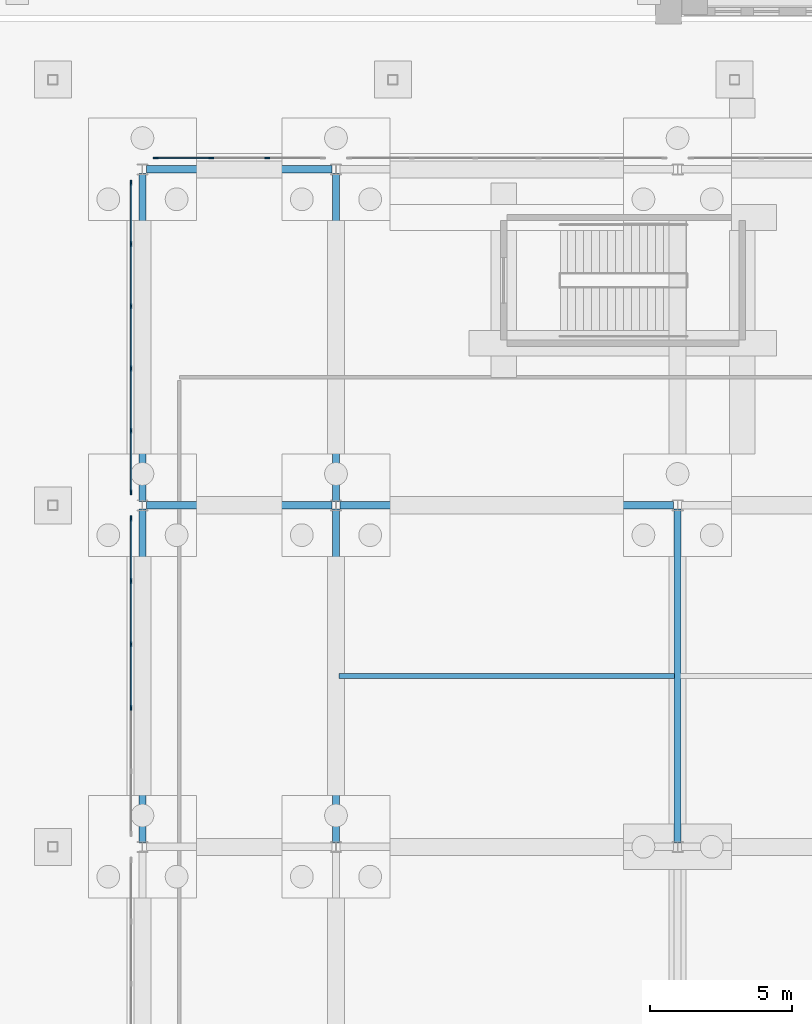
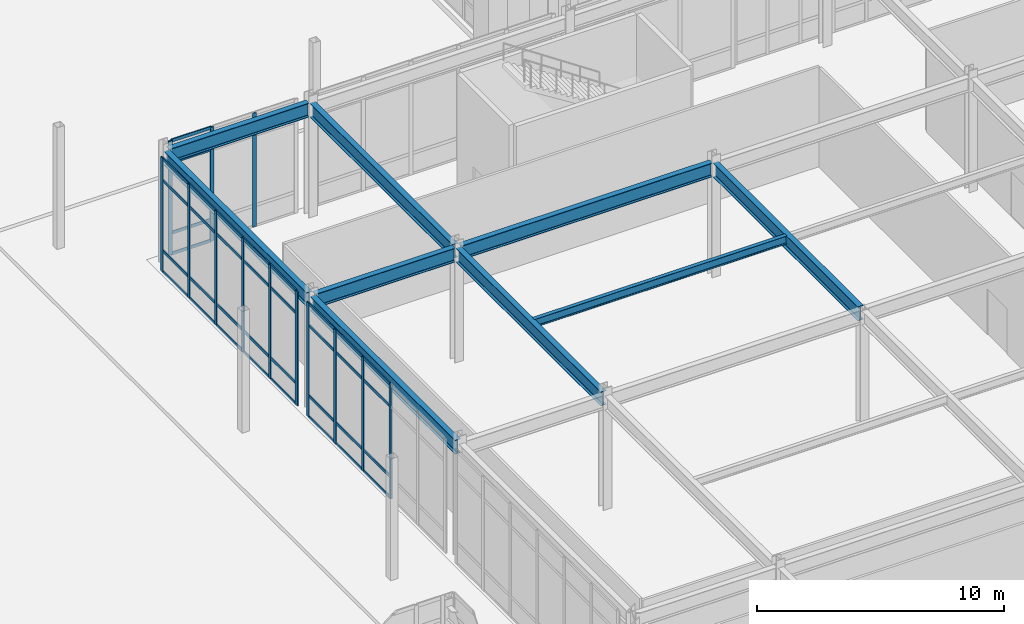
# One storey, part 67 of 143: 49 members, 9 beams, 3 elements without a shape of their own.
"""IFC4 building model written with IfcOpenShell, lengths in metres."""

from ifc_helpers import new_model, si_unit, derived_unit, direction, frame, origin, origin_2d, place, context, subcontext, project, spatial, rectangle, i_section, extrude, material, layer, layer_set, material_profile, profile_set, type_object, element, aggregate, save


model = new_model("IFC4")

# Units and contexts
model_context = context("Model", 3, precision=1e-05, world=origin(), true_north=direction((0.0, 1.0)))
body_context = subcontext(model_context, "Body", "Model", "MODEL_VIEW")
ifc_project = project(units=[si_unit("LENGTHUNIT", "METRE"), si_unit("AREAUNIT", "SQUARE_METRE"), si_unit("VOLUMEUNIT", "CUBIC_METRE"), si_unit("PLANEANGLEUNIT", "RADIAN"), si_unit("MASSUNIT", "GRAM", prefix="KILO"), derived_unit("THERMALTRANSMITTANCEUNIT", [(si_unit("MASSUNIT", "GRAM", prefix="KILO"), 1), (si_unit("TIMEUNIT", "SECOND"), -3), (si_unit("THERMODYNAMICTEMPERATUREUNIT", "KELVIN"), -1)])], contexts=[model_context])

# Site, building, storey
site_placement = place(None, origin())
site = spatial("IfcSite", under=ifc_project, at=site_placement, CompositionType="ELEMENT")
building_placement = place(site_placement, origin())
building = spatial("IfcBuilding", under=site, at=building_placement, Name="Valcora Ridge Arena", CompositionType="ELEMENT")
storey_placement = place(building_placement, origin())
storey = spatial("IfcBuildingStorey", under=building, at=storey_placement, Name="L00", CompositionType="ELEMENT", Elevation=0.0)

# Beams
ifc_material_1 = material(Name="Steel ASTM A572 Grade 50", Category="steel")
ifc_material_profile_1 = material_profile(ifc_material_1, i_section(OverallWidth=0.256103515625, OverallDepth=0.693115234375, WebThickness=0.014404296875, FlangeThickness=0.023681640625, FilletRadius=0.02001953125, at=origin_2d()), Name="W27X114")
ifc_profile_set_1 = profile_set([ifc_material_profile_1], Name="Steel ASTM A572 Grade 50")
beam_type_1 = type_object("IfcBeamType", Name="TY-BEAM-G-W27X114-X", PredefinedType="BEAM", material=ifc_profile_set_1)
beam_1_placement = place(storey_placement, frame((137.340087890625, 66.0, 5.2734375), z_axis=(1.0, 0.0, 0.0), x_axis=(0.0, 1.0, 0.0)))
element("IfcBeam", 1, at=beam_1_placement, inside=storey, type_object=beam_type_1, Name="G-W27X114-X BEM-G-W27X114-X-0019", PredefinedType="BEAM", context=body_context, shape_type="SweptSolid", body=[
    extrude(i_section(OverallWidth=0.256103515625, OverallDepth=0.693115234375, WebThickness=0.014404296875, FlangeThickness=0.023681640625, FilletRadius=0.02001953125, at=origin_2d()), origin(), (0.0, 0.0, 1.0), 6.52001953125),
])
beam_2_placement = place(storey_placement, frame((144.139892578125, 66.0, 5.2734375), z_axis=(1.0, 0.0, 0.0), x_axis=(0.0, 1.0, 0.0)))
element("IfcBeam", 2, at=beam_2_placement, inside=storey, type_object=beam_type_1, Name="G-W27X114-X BEM-G-W27X114-X-0020", PredefinedType="BEAM", context=body_context, shape_type="SweptSolid", body=[
    extrude(i_section(OverallWidth=0.256103515625, OverallDepth=0.693115234375, WebThickness=0.014404296875, FlangeThickness=0.023681640625, FilletRadius=0.02001953125, at=origin_2d()), origin(), (0.0, 0.0, 1.0), 11.72021484375),
])
ifc_material_profile_2 = material_profile(ifc_material_1, i_section(OverallWidth=0.256103515625, OverallDepth=0.693115234375, WebThickness=0.014404296875, FlangeThickness=0.023681640625, FilletRadius=0.02001953125, at=origin_2d()), Name="W27X114")
ifc_profile_set_2 = profile_set([ifc_material_profile_2], Name="Steel ASTM A572 Grade 50")
beam_type_2 = type_object("IfcBeamType", Name="TY-BEAM-G-W27X114-Y", PredefinedType="BEAM", material=ifc_profile_set_2)
beam_3_placement = place(storey_placement, frame((137.199951171875, 54.139892578125, 5.2734375), z_axis=(0.0, 1.0, 0.0), x_axis=(-1.0, 0.0, 0.0)))
element("IfcBeam", 3, at=beam_3_placement, inside=storey, type_object=beam_type_2, Name="G-W27X114-Y BEM-G-W27X114-Y-0005", PredefinedType="BEAM", context=body_context, shape_type="SweptSolid", body=[
    extrude(i_section(OverallWidth=0.256103515625, OverallDepth=0.693115234375, WebThickness=0.014404296875, FlangeThickness=0.023681640625, FilletRadius=0.02001953125, at=origin_2d()), origin(), (0.0, 0.0, 1.0), 11.72021484375),
])
beam_4_placement = place(storey_placement, frame((137.199951171875, 66.139892578125, 5.2734375), z_axis=(0.0, 1.0, 0.0), x_axis=(-1.0, 0.0, 0.0)))
element("IfcBeam", 4, at=beam_4_placement, inside=storey, type_object=beam_type_2, Name="G-W27X114-Y BEM-G-W27X114-Y-0006", PredefinedType="BEAM", context=body_context, shape_type="SweptSolid", body=[
    extrude(i_section(OverallWidth=0.256103515625, OverallDepth=0.693115234375, WebThickness=0.014404296875, FlangeThickness=0.023681640625, FilletRadius=0.02001953125, at=origin_2d()), origin(), (0.0, 0.0, 1.0), 11.52001953125),
])
beam_5_placement = place(storey_placement, frame((144.0, 54.139892578125, 5.2734375), z_axis=(0.0, 1.0, 0.0), x_axis=(-1.0, 0.0, 0.0)))
element("IfcBeam", 5, at=beam_5_placement, inside=storey, type_object=beam_type_2, Name="G-W27X114-Y BEM-G-W27X114-Y-0011", PredefinedType="BEAM", context=body_context, shape_type="SweptSolid", body=[
    extrude(i_section(OverallWidth=0.256103515625, OverallDepth=0.693115234375, WebThickness=0.014404296875, FlangeThickness=0.023681640625, FilletRadius=0.02001953125, at=origin_2d()), origin(), (0.0, 0.0, 1.0), 11.72021484375),
])
beam_6_placement = place(storey_placement, frame((144.0, 66.139892578125, 5.2734375), z_axis=(0.0, 1.0, 0.0), x_axis=(-1.0, 0.0, 0.0)))
element("IfcBeam", 6, at=beam_6_placement, inside=storey, type_object=beam_type_2, Name="G-W27X114-Y BEM-G-W27X114-Y-0012", PredefinedType="BEAM", context=body_context, shape_type="SweptSolid", body=[
    extrude(i_section(OverallWidth=0.256103515625, OverallDepth=0.693115234375, WebThickness=0.014404296875, FlangeThickness=0.023681640625, FilletRadius=0.02001953125, at=origin_2d()), origin(), (0.0, 0.0, 1.0), 11.52001953125),
])
beam_7_placement = place(storey_placement, frame((156.0, 54.139892578125, 5.2734375), z_axis=(0.0, 1.0, 0.0), x_axis=(-1.0, 0.0, 0.0)))
element("IfcBeam", 7, at=beam_7_placement, inside=storey, type_object=beam_type_2, Name="G-W27X114-Y BEM-G-W27X114-Y-0017", PredefinedType="BEAM", context=body_context, shape_type="SweptSolid", body=[
    extrude(i_section(OverallWidth=0.256103515625, OverallDepth=0.693115234375, WebThickness=0.014404296875, FlangeThickness=0.023681640625, FilletRadius=0.02001953125, at=origin_2d()), origin(), (0.0, 0.0, 1.0), 11.72021484375),
])
ifc_material_profile_3 = material_profile(ifc_material_1, i_section(OverallWidth=0.177978515625, OverallDepth=0.406005859375, WebThickness=0.0078125, FlangeThickness=0.0126953125, FilletRadius=0.013916015625, at=origin_2d()), Name="W16X40")
ifc_profile_set_3 = profile_set([ifc_material_profile_3], Name="Steel ASTM A572 Grade 50")
beam_type_3 = type_object("IfcBeamType", Name="TY-BEAM-J-W16X40", PredefinedType="JOIST", material=ifc_profile_set_3)
beam_8_placement = place(storey_placement, frame((144.10009765625, 60.0, 5.4169921875), z_axis=(1.0, 0.0, 0.0), x_axis=(0.0, 1.0, 0.0)))
element("IfcBeam", 8, at=beam_8_placement, inside=storey, type_object=beam_type_3, Name="J-W16X40 BEM-J-W16X40-0005", PredefinedType="JOIST", context=body_context, shape_type="SweptSolid", body=[
    extrude(i_section(OverallWidth=0.177978515625, OverallDepth=0.406005859375, WebThickness=0.0078125, FlangeThickness=0.0126953125, FilletRadius=0.013916015625, at=origin_2d()), origin(), (0.0, 0.0, 1.0), 11.7998046875),
])
ifc_material_profile_4 = material_profile(ifc_material_1, i_section(OverallWidth=0.256103515625, OverallDepth=0.693115234375, WebThickness=0.014404296875, FlangeThickness=0.023681640625, FilletRadius=0.02001953125, at=origin_2d()), Name="W27X114")
ifc_profile_set_4 = profile_set([ifc_material_profile_4], Name="Steel ASTM A572 Grade 50")
beam_type_4 = type_object("IfcBeamType", Name="TY-BEAM-SP-W27X114", PredefinedType="SPANDREL", material=ifc_profile_set_4)
beam_9_placement = place(storey_placement, frame((137.340087890625, 77.800048828125, 5.2734375), z_axis=(1.0, 0.0, 0.0), x_axis=(0.0, 1.0, 0.0)))
element("IfcBeam", 9, at=beam_9_placement, inside=storey, type_object=beam_type_4, Name="SP-W27X114 BEM-SP-W27X114-0006", PredefinedType="SPANDREL", context=body_context, shape_type="SweptSolid", body=[
    extrude(i_section(OverallWidth=0.256103515625, OverallDepth=0.693115234375, WebThickness=0.014404296875, FlangeThickness=0.023681640625, FilletRadius=0.02001953125, at=origin_2d()), origin(), (0.0, 0.0, 1.0), 6.52001953125),
])

# Curtain wall, members
ifc_material_2 = material(Name="Anodised dark bronze architectural aluminium 6063-T6", Category="aluminium")
ifc_layer_1 = layer(ifc_material_2, 0.179931640625, Name="Anodised dark bronze architectural aluminium 6063-T6")
ifc_layer_set_1 = layer_set([ifc_layer_1], Name="Anodised dark bronze architectural aluminium 6063-T6")
curtain_wall_type_1 = type_object("IfcCurtainWallType", Name="TY-CURTAINWALL-CW-V2-GLAZ-111X56", PredefinedType="NOTDEFINED", material=ifc_layer_set_1)
curtain_wall_1_placement = place(storey_placement, origin())
curtain_wall_1 = element("IfcCurtainWall", 10, at=curtain_wall_1_placement, inside=storey, type_object=curtain_wall_type_1, Name="CW-V2-GLAZ-111X56 CW-0023", PredefinedType="NOTDEFINED")
ifc_material_profile_5 = material_profile(ifc_material_2, rectangle(XDim=0.06005859375, YDim=0.179931640625, at=origin_2d()), Name="ALU MULLION 60x180")
ifc_profile_set_5 = profile_set([ifc_material_profile_5], Name="Anodised dark bronze architectural aluminium 6063-T6")
member_type_1 = type_object("IfcMemberType", Name="TY-MEM-CWM-60x180", PredefinedType="MULLION", material=ifc_profile_set_5)
member_1_placement = place(storey_placement, frame((136.800048828125, 58.88671875, 0.0), z_axis=(0.0, 0.0, 1.0), x_axis=(-1.0, 0.0, 0.0)))
member_1 = element("IfcMember", 11, at=member_1_placement, type_object=member_type_1, Name="CW-0023/CWM-60x180/M02", PredefinedType="MULLION", context=body_context, shape_type="SweptSolid", body=[
    extrude(rectangle(XDim=0.06005859375, YDim=0.179931640625, at=origin_2d()), origin(), (0.0, 0.0, 1.0), 5.6201171875),
])
member_2_placement = place(storey_placement, frame((136.800048828125, 61.11328125, 0.0), z_axis=(0.0, 0.0, 1.0), x_axis=(-1.0, 0.0, 0.0)))
member_2 = element("IfcMember", 12, at=member_2_placement, type_object=member_type_1, Name="CW-0023/CWM-60x180/M03", PredefinedType="MULLION", context=body_context, shape_type="SweptSolid", body=[
    extrude(rectangle(XDim=0.06005859375, YDim=0.179931640625, at=origin_2d()), origin(), (0.0, 0.0, 1.0), 5.6201171875),
])
member_3_placement = place(storey_placement, frame((136.800048828125, 63.340087890625, 0.0), z_axis=(0.0, 0.0, 1.0), x_axis=(-1.0, 0.0, 0.0)))
member_3 = element("IfcMember", 13, at=member_3_placement, type_object=member_type_1, Name="CW-0023/CWM-60x180/M04", PredefinedType="MULLION", context=body_context, shape_type="SweptSolid", body=[
    extrude(rectangle(XDim=0.06005859375, YDim=0.179931640625, at=origin_2d()), origin(), (0.0, 0.0, 1.0), 5.6201171875),
])
member_4_placement = place(storey_placement, frame((136.800048828125, 65.537109375, 0.0), z_axis=(0.0, 0.0, 1.0), x_axis=(-1.0, 0.0, 0.0)))
member_4 = element("IfcMember", 14, at=member_4_placement, type_object=member_type_1, Name="CW-0023/CWM-60x180/M05", PredefinedType="MULLION", context=body_context, shape_type="SweptSolid", body=[
    extrude(rectangle(XDim=0.06005859375, YDim=0.179931640625, at=origin_2d()), origin(), (0.0, 0.0, 1.0), 5.6201171875),
])

ifc_layer_2 = layer(ifc_material_2, 0.179931640625, Name="Anodised dark bronze architectural aluminium 6063-T6")
ifc_layer_set_2 = layer_set([ifc_layer_2], Name="Anodised dark bronze architectural aluminium 6063-T6")
curtain_wall_type_2 = type_object("IfcCurtainWallType", Name="TY-CURTAINWALL-CW-V2-GLAZ-109X56", PredefinedType="NOTDEFINED", material=ifc_layer_set_2)
curtain_wall_2_placement = place(storey_placement, origin())
curtain_wall_2 = element("IfcCurtainWall", 15, at=curtain_wall_2_placement, inside=storey, type_object=curtain_wall_type_2, Name="CW-V2-GLAZ-109X56 CW-0024", PredefinedType="NOTDEFINED")
member_5_placement = place(storey_placement, frame((136.800048828125, 66.462890625, 0.0), z_axis=(0.0, 0.0, 1.0), x_axis=(-1.0, 0.0, 0.0)))
member_5 = element("IfcMember", 16, at=member_5_placement, type_object=member_type_1, Name="CW-0024/CWM-60x180/M00", PredefinedType="MULLION", context=body_context, shape_type="SweptSolid", body=[
    extrude(rectangle(XDim=0.06005859375, YDim=0.179931640625, at=origin_2d()), origin(), (0.0, 0.0, 1.0), 5.6201171875),
])
member_6_placement = place(storey_placement, frame((136.800048828125, 68.619873046875, 0.0), z_axis=(0.0, 0.0, 1.0), x_axis=(-1.0, 0.0, 0.0)))
member_6 = element("IfcMember", 17, at=member_6_placement, type_object=member_type_1, Name="CW-0024/CWM-60x180/M01", PredefinedType="MULLION", context=body_context, shape_type="SweptSolid", body=[
    extrude(rectangle(XDim=0.06005859375, YDim=0.179931640625, at=origin_2d()), origin(), (0.0, 0.0, 1.0), 5.6201171875),
])
member_7_placement = place(storey_placement, frame((136.800048828125, 70.806640625, 0.0), z_axis=(0.0, 0.0, 1.0), x_axis=(-1.0, 0.0, 0.0)))
member_7 = element("IfcMember", 18, at=member_7_placement, type_object=member_type_1, Name="CW-0024/CWM-60x180/M02", PredefinedType="MULLION", context=body_context, shape_type="SweptSolid", body=[
    extrude(rectangle(XDim=0.06005859375, YDim=0.179931640625, at=origin_2d()), origin(), (0.0, 0.0, 1.0), 5.6201171875),
])
member_8_placement = place(storey_placement, frame((136.800048828125, 72.993408203125, 0.0), z_axis=(0.0, 0.0, 1.0), x_axis=(-1.0, 0.0, 0.0)))
member_8 = element("IfcMember", 19, at=member_8_placement, type_object=member_type_1, Name="CW-0024/CWM-60x180/M03", PredefinedType="MULLION", context=body_context, shape_type="SweptSolid", body=[
    extrude(rectangle(XDim=0.06005859375, YDim=0.179931640625, at=origin_2d()), origin(), (0.0, 0.0, 1.0), 5.6201171875),
])
member_9_placement = place(storey_placement, frame((136.800048828125, 75.18017578125, 0.0), z_axis=(0.0, 0.0, 1.0), x_axis=(-1.0, 0.0, 0.0)))
member_9 = element("IfcMember", 20, at=member_9_placement, type_object=member_type_1, Name="CW-0024/CWM-60x180/M04", PredefinedType="MULLION", context=body_context, shape_type="SweptSolid", body=[
    extrude(rectangle(XDim=0.06005859375, YDim=0.179931640625, at=origin_2d()), origin(), (0.0, 0.0, 1.0), 5.6201171875),
])
member_10_placement = place(storey_placement, frame((136.800048828125, 77.3369140625, 0.0), z_axis=(0.0, 0.0, 1.0), x_axis=(-1.0, 0.0, 0.0)))
member_10 = element("IfcMember", 21, at=member_10_placement, type_object=member_type_1, Name="CW-0024/CWM-60x180/M05", PredefinedType="MULLION", context=body_context, shape_type="SweptSolid", body=[
    extrude(rectangle(XDim=0.06005859375, YDim=0.179931640625, at=origin_2d()), origin(), (0.0, 0.0, 1.0), 5.6201171875),
])

ifc_layer_3 = layer(ifc_material_2, 0.179931640625, Name="Anodised dark bronze architectural aluminium 6063-T6")
ifc_layer_set_3 = layer_set([ifc_layer_3], Name="Anodised dark bronze architectural aluminium 6063-T6")
curtain_wall_type_3 = type_object("IfcCurtainWallType", Name="TY-CURTAINWALL-CW-V2-GLAZ-059X56", PredefinedType="NOTDEFINED", material=ifc_layer_set_3)
curtain_wall_3_placement = place(storey_placement, origin())
curtain_wall_3 = element("IfcCurtainWall", 22, at=curtain_wall_3_placement, inside=storey, type_object=curtain_wall_type_3, Name="CW-V2-GLAZ-059X56 CW-0036", PredefinedType="NOTDEFINED")
member_11_placement = place(storey_placement, frame((137.66943359375, 78.199951171875, 0.0), z_axis=(0.0, 0.0, 1.0), x_axis=(0.0, 1.0, 0.0)))
member_11 = element("IfcMember", 23, at=member_11_placement, type_object=member_type_1, Name="CW-0036/CWM-60x180/M00", PredefinedType="MULLION", context=body_context, shape_type="SweptSolid", body=[
    extrude(rectangle(XDim=0.06005859375, YDim=0.179931640625, at=origin_2d()), origin(), (0.0, 0.0, 1.0), 5.6201171875),
])
member_12_placement = place(storey_placement, frame((139.61328125, 78.199951171875, 0.0), z_axis=(0.0, 0.0, 1.0), x_axis=(0.0, 1.0, 0.0)))
member_12 = element("IfcMember", 24, at=member_12_placement, type_object=member_type_1, Name="CW-0036/CWM-60x180/M01", PredefinedType="MULLION", context=body_context, shape_type="SweptSolid", body=[
    extrude(rectangle(XDim=0.06005859375, YDim=0.179931640625, at=origin_2d()), origin(), (0.0, 0.0, 1.0), 5.6201171875),
])
member_13_placement = place(storey_placement, frame((141.5869140625, 78.199951171875, 0.0), z_axis=(0.0, 0.0, 1.0), x_axis=(0.0, 1.0, 0.0)))
member_13 = element("IfcMember", 25, at=member_13_placement, type_object=member_type_1, Name="CW-0036/CWM-60x180/M02", PredefinedType="MULLION", context=body_context, shape_type="SweptSolid", body=[
    extrude(rectangle(XDim=0.06005859375, YDim=0.179931640625, at=origin_2d()), origin(), (0.0, 0.0, 1.0), 5.6201171875),
])

# Member
ifc_material_profile_6 = material_profile(ifc_material_2, rectangle(XDim=0.050048828125, YDim=0.14990234375, at=origin_2d()), Name="ALU TRANSOM 50x150")
ifc_profile_set_6 = profile_set([ifc_material_profile_6], Name="Anodised dark bronze architectural aluminium 6063-T6")
member_type_2 = type_object("IfcMemberType", Name="TY-MEM-CWT-50x150", PredefinedType="USERDEFINED", material=ifc_profile_set_6)
member_14_placement = place(storey_placement, frame((136.800048828125, 58.9169921875, 0.02490234375), z_axis=(0.0, 1.0, 0.0), x_axis=(-1.0, 0.0, 0.0)))
member_14 = element("IfcMember", 26, at=member_14_placement, type_object=member_type_2, Name="CW-0023/CWT-50x150/T02-00", ObjectType="TRANSOM", PredefinedType="USERDEFINED", context=body_context, shape_type="SweptSolid", body=[
    extrude(rectangle(XDim=0.050048828125, YDim=0.14990234375, at=origin_2d()), origin(), (0.0, 0.0, 1.0), 2.166015625),
])

member_15_placement = place(storey_placement, frame((136.800048828125, 58.9169921875, 1.050048828125), z_axis=(0.0, 1.0, 0.0), x_axis=(-1.0, 0.0, 0.0)))
member_15 = element("IfcMember", 27, at=member_15_placement, type_object=member_type_2, Name="CW-0023/CWT-50x150/T02-01", ObjectType="TRANSOM", PredefinedType="USERDEFINED", context=body_context, shape_type="SweptSolid", body=[
    extrude(rectangle(XDim=0.050048828125, YDim=0.14990234375, at=origin_2d()), origin(), (0.0, 0.0, 1.0), 2.166015625),
])

member_16_placement = place(storey_placement, frame((136.800048828125, 58.9169921875, 4.52001953125), z_axis=(0.0, 1.0, 0.0), x_axis=(-1.0, 0.0, 0.0)))
member_16 = element("IfcMember", 28, at=member_16_placement, type_object=member_type_2, Name="CW-0023/CWT-50x150/T02-02", ObjectType="TRANSOM", PredefinedType="USERDEFINED", context=body_context, shape_type="SweptSolid", body=[
    extrude(rectangle(XDim=0.050048828125, YDim=0.14990234375, at=origin_2d()), origin(), (0.0, 0.0, 1.0), 2.166015625),
])

member_17_placement = place(storey_placement, frame((136.800048828125, 58.9169921875, 5.594970703125), z_axis=(0.0, 1.0, 0.0), x_axis=(-1.0, 0.0, 0.0)))
member_17 = element("IfcMember", 29, at=member_17_placement, type_object=member_type_2, Name="CW-0023/CWT-50x150/T02-03", ObjectType="TRANSOM", PredefinedType="USERDEFINED", context=body_context, shape_type="SweptSolid", body=[
    extrude(rectangle(XDim=0.050048828125, YDim=0.14990234375, at=origin_2d()), origin(), (0.0, 0.0, 1.0), 2.166015625),
])

member_18_placement = place(storey_placement, frame((136.800048828125, 61.14306640625, 0.02490234375), z_axis=(0.0, 1.0, 0.0), x_axis=(-1.0, 0.0, 0.0)))
member_18 = element("IfcMember", 30, at=member_18_placement, type_object=member_type_2, Name="CW-0023/CWT-50x150/T03-00", ObjectType="TRANSOM", PredefinedType="USERDEFINED", context=body_context, shape_type="SweptSolid", body=[
    extrude(rectangle(XDim=0.050048828125, YDim=0.14990234375, at=origin_2d()), origin(), (0.0, 0.0, 1.0), 2.1669921875),
])

member_19_placement = place(storey_placement, frame((136.800048828125, 61.14306640625, 1.050048828125), z_axis=(0.0, 1.0, 0.0), x_axis=(-1.0, 0.0, 0.0)))
member_19 = element("IfcMember", 31, at=member_19_placement, type_object=member_type_2, Name="CW-0023/CWT-50x150/T03-01", ObjectType="TRANSOM", PredefinedType="USERDEFINED", context=body_context, shape_type="SweptSolid", body=[
    extrude(rectangle(XDim=0.050048828125, YDim=0.14990234375, at=origin_2d()), origin(), (0.0, 0.0, 1.0), 2.1669921875),
])

member_20_placement = place(storey_placement, frame((136.800048828125, 61.14306640625, 4.52001953125), z_axis=(0.0, 1.0, 0.0), x_axis=(-1.0, 0.0, 0.0)))
member_20 = element("IfcMember", 32, at=member_20_placement, type_object=member_type_2, Name="CW-0023/CWT-50x150/T03-02", ObjectType="TRANSOM", PredefinedType="USERDEFINED", context=body_context, shape_type="SweptSolid", body=[
    extrude(rectangle(XDim=0.050048828125, YDim=0.14990234375, at=origin_2d()), origin(), (0.0, 0.0, 1.0), 2.1669921875),
])

member_21_placement = place(storey_placement, frame((136.800048828125, 61.14306640625, 5.594970703125), z_axis=(0.0, 1.0, 0.0), x_axis=(-1.0, 0.0, 0.0)))
member_21 = element("IfcMember", 33, at=member_21_placement, type_object=member_type_2, Name="CW-0023/CWT-50x150/T03-03", ObjectType="TRANSOM", PredefinedType="USERDEFINED", context=body_context, shape_type="SweptSolid", body=[
    extrude(rectangle(XDim=0.050048828125, YDim=0.14990234375, at=origin_2d()), origin(), (0.0, 0.0, 1.0), 2.1669921875),
])

member_22_placement = place(storey_placement, frame((136.800048828125, 63.3701171875, 0.02490234375), z_axis=(0.0, 1.0, 0.0), x_axis=(-1.0, 0.0, 0.0)))
member_22 = element("IfcMember", 34, at=member_22_placement, type_object=member_type_2, Name="CW-0023/CWT-50x150/T04-00", ObjectType="TRANSOM", PredefinedType="USERDEFINED", context=body_context, shape_type="SweptSolid", body=[
    extrude(rectangle(XDim=0.050048828125, YDim=0.14990234375, at=origin_2d()), origin(), (0.0, 0.0, 1.0), 2.136962890625),
])

member_23_placement = place(storey_placement, frame((136.800048828125, 63.3701171875, 1.050048828125), z_axis=(0.0, 1.0, 0.0), x_axis=(-1.0, 0.0, 0.0)))
member_23 = element("IfcMember", 35, at=member_23_placement, type_object=member_type_2, Name="CW-0023/CWT-50x150/T04-01", ObjectType="TRANSOM", PredefinedType="USERDEFINED", context=body_context, shape_type="SweptSolid", body=[
    extrude(rectangle(XDim=0.050048828125, YDim=0.14990234375, at=origin_2d()), origin(), (0.0, 0.0, 1.0), 2.136962890625),
])

member_24_placement = place(storey_placement, frame((136.800048828125, 63.3701171875, 4.52001953125), z_axis=(0.0, 1.0, 0.0), x_axis=(-1.0, 0.0, 0.0)))
member_24 = element("IfcMember", 36, at=member_24_placement, type_object=member_type_2, Name="CW-0023/CWT-50x150/T04-02", ObjectType="TRANSOM", PredefinedType="USERDEFINED", context=body_context, shape_type="SweptSolid", body=[
    extrude(rectangle(XDim=0.050048828125, YDim=0.14990234375, at=origin_2d()), origin(), (0.0, 0.0, 1.0), 2.136962890625),
])

member_25_placement = place(storey_placement, frame((136.800048828125, 63.3701171875, 5.594970703125), z_axis=(0.0, 1.0, 0.0), x_axis=(-1.0, 0.0, 0.0)))
member_25 = element("IfcMember", 37, at=member_25_placement, type_object=member_type_2, Name="CW-0023/CWT-50x150/T04-03", ObjectType="TRANSOM", PredefinedType="USERDEFINED", context=body_context, shape_type="SweptSolid", body=[
    extrude(rectangle(XDim=0.050048828125, YDim=0.14990234375, at=origin_2d()), origin(), (0.0, 0.0, 1.0), 2.136962890625),
])

aggregate(curtain_wall_1, [member_1, member_2, member_3, member_4, member_14, member_15, member_16, member_17, member_18, member_19, member_20, member_21, member_22, member_23, member_24, member_25])

member_26_placement = place(storey_placement, frame((136.800048828125, 66.492919921875, 0.02490234375), z_axis=(0.0, 1.0, 0.0), x_axis=(-1.0, 0.0, 0.0)))
member_26 = element("IfcMember", 38, at=member_26_placement, type_object=member_type_2, Name="CW-0024/CWT-50x150/T00-00", ObjectType="TRANSOM", PredefinedType="USERDEFINED", context=body_context, shape_type="SweptSolid", body=[
    extrude(rectangle(XDim=0.050048828125, YDim=0.14990234375, at=origin_2d()), origin(), (0.0, 0.0, 1.0), 2.09716796875),
])

member_27_placement = place(storey_placement, frame((136.800048828125, 66.492919921875, 1.050048828125), z_axis=(0.0, 1.0, 0.0), x_axis=(-1.0, 0.0, 0.0)))
member_27 = element("IfcMember", 39, at=member_27_placement, type_object=member_type_2, Name="CW-0024/CWT-50x150/T00-01", ObjectType="TRANSOM", PredefinedType="USERDEFINED", context=body_context, shape_type="SweptSolid", body=[
    extrude(rectangle(XDim=0.050048828125, YDim=0.14990234375, at=origin_2d()), origin(), (0.0, 0.0, 1.0), 2.09716796875),
])

member_28_placement = place(storey_placement, frame((136.800048828125, 66.492919921875, 4.52001953125), z_axis=(0.0, 1.0, 0.0), x_axis=(-1.0, 0.0, 0.0)))
member_28 = element("IfcMember", 40, at=member_28_placement, type_object=member_type_2, Name="CW-0024/CWT-50x150/T00-02", ObjectType="TRANSOM", PredefinedType="USERDEFINED", context=body_context, shape_type="SweptSolid", body=[
    extrude(rectangle(XDim=0.050048828125, YDim=0.14990234375, at=origin_2d()), origin(), (0.0, 0.0, 1.0), 2.09716796875),
])

member_29_placement = place(storey_placement, frame((136.800048828125, 66.492919921875, 5.594970703125), z_axis=(0.0, 1.0, 0.0), x_axis=(-1.0, 0.0, 0.0)))
member_29 = element("IfcMember", 41, at=member_29_placement, type_object=member_type_2, Name="CW-0024/CWT-50x150/T00-03", ObjectType="TRANSOM", PredefinedType="USERDEFINED", context=body_context, shape_type="SweptSolid", body=[
    extrude(rectangle(XDim=0.050048828125, YDim=0.14990234375, at=origin_2d()), origin(), (0.0, 0.0, 1.0), 2.09716796875),
])

member_30_placement = place(storey_placement, frame((136.800048828125, 68.64990234375, 0.02490234375), z_axis=(0.0, 1.0, 0.0), x_axis=(-1.0, 0.0, 0.0)))
member_30 = element("IfcMember", 42, at=member_30_placement, type_object=member_type_2, Name="CW-0024/CWT-50x150/T01-00", ObjectType="TRANSOM", PredefinedType="USERDEFINED", context=body_context, shape_type="SweptSolid", body=[
    extrude(rectangle(XDim=0.050048828125, YDim=0.14990234375, at=origin_2d()), origin(), (0.0, 0.0, 1.0), 2.127197265625),
])

member_31_placement = place(storey_placement, frame((136.800048828125, 68.64990234375, 1.050048828125), z_axis=(0.0, 1.0, 0.0), x_axis=(-1.0, 0.0, 0.0)))
member_31 = element("IfcMember", 43, at=member_31_placement, type_object=member_type_2, Name="CW-0024/CWT-50x150/T01-01", ObjectType="TRANSOM", PredefinedType="USERDEFINED", context=body_context, shape_type="SweptSolid", body=[
    extrude(rectangle(XDim=0.050048828125, YDim=0.14990234375, at=origin_2d()), origin(), (0.0, 0.0, 1.0), 2.127197265625),
])

member_32_placement = place(storey_placement, frame((136.800048828125, 68.64990234375, 4.52001953125), z_axis=(0.0, 1.0, 0.0), x_axis=(-1.0, 0.0, 0.0)))
member_32 = element("IfcMember", 44, at=member_32_placement, type_object=member_type_2, Name="CW-0024/CWT-50x150/T01-02", ObjectType="TRANSOM", PredefinedType="USERDEFINED", context=body_context, shape_type="SweptSolid", body=[
    extrude(rectangle(XDim=0.050048828125, YDim=0.14990234375, at=origin_2d()), origin(), (0.0, 0.0, 1.0), 2.127197265625),
])

member_33_placement = place(storey_placement, frame((136.800048828125, 68.64990234375, 5.594970703125), z_axis=(0.0, 1.0, 0.0), x_axis=(-1.0, 0.0, 0.0)))
member_33 = element("IfcMember", 45, at=member_33_placement, type_object=member_type_2, Name="CW-0024/CWT-50x150/T01-03", ObjectType="TRANSOM", PredefinedType="USERDEFINED", context=body_context, shape_type="SweptSolid", body=[
    extrude(rectangle(XDim=0.050048828125, YDim=0.14990234375, at=origin_2d()), origin(), (0.0, 0.0, 1.0), 2.127197265625),
])

member_34_placement = place(storey_placement, frame((136.800048828125, 70.8369140625, 0.02490234375), z_axis=(0.0, 1.0, 0.0), x_axis=(-1.0, 0.0, 0.0)))
member_34 = element("IfcMember", 46, at=member_34_placement, type_object=member_type_2, Name="CW-0024/CWT-50x150/T02-00", ObjectType="TRANSOM", PredefinedType="USERDEFINED", context=body_context, shape_type="SweptSolid", body=[
    extrude(rectangle(XDim=0.050048828125, YDim=0.14990234375, at=origin_2d()), origin(), (0.0, 0.0, 1.0), 2.1259765625),
])

member_35_placement = place(storey_placement, frame((136.800048828125, 70.8369140625, 1.050048828125), z_axis=(0.0, 1.0, 0.0), x_axis=(-1.0, 0.0, 0.0)))
member_35 = element("IfcMember", 47, at=member_35_placement, type_object=member_type_2, Name="CW-0024/CWT-50x150/T02-01", ObjectType="TRANSOM", PredefinedType="USERDEFINED", context=body_context, shape_type="SweptSolid", body=[
    extrude(rectangle(XDim=0.050048828125, YDim=0.14990234375, at=origin_2d()), origin(), (0.0, 0.0, 1.0), 2.1259765625),
])

member_36_placement = place(storey_placement, frame((136.800048828125, 70.8369140625, 4.52001953125), z_axis=(0.0, 1.0, 0.0), x_axis=(-1.0, 0.0, 0.0)))
member_36 = element("IfcMember", 48, at=member_36_placement, type_object=member_type_2, Name="CW-0024/CWT-50x150/T02-02", ObjectType="TRANSOM", PredefinedType="USERDEFINED", context=body_context, shape_type="SweptSolid", body=[
    extrude(rectangle(XDim=0.050048828125, YDim=0.14990234375, at=origin_2d()), origin(), (0.0, 0.0, 1.0), 2.1259765625),
])

member_37_placement = place(storey_placement, frame((136.800048828125, 70.8369140625, 5.594970703125), z_axis=(0.0, 1.0, 0.0), x_axis=(-1.0, 0.0, 0.0)))
member_37 = element("IfcMember", 49, at=member_37_placement, type_object=member_type_2, Name="CW-0024/CWT-50x150/T02-03", ObjectType="TRANSOM", PredefinedType="USERDEFINED", context=body_context, shape_type="SweptSolid", body=[
    extrude(rectangle(XDim=0.050048828125, YDim=0.14990234375, at=origin_2d()), origin(), (0.0, 0.0, 1.0), 2.1259765625),
])

member_38_placement = place(storey_placement, frame((136.800048828125, 73.02294921875, 0.02490234375), z_axis=(0.0, 1.0, 0.0), x_axis=(-1.0, 0.0, 0.0)))
member_38 = element("IfcMember", 50, at=member_38_placement, type_object=member_type_2, Name="CW-0024/CWT-50x150/T03-00", ObjectType="TRANSOM", PredefinedType="USERDEFINED", context=body_context, shape_type="SweptSolid", body=[
    extrude(rectangle(XDim=0.050048828125, YDim=0.14990234375, at=origin_2d()), origin(), (0.0, 0.0, 1.0), 2.126953125),
])

member_39_placement = place(storey_placement, frame((136.800048828125, 73.02294921875, 1.050048828125), z_axis=(0.0, 1.0, 0.0), x_axis=(-1.0, 0.0, 0.0)))
member_39 = element("IfcMember", 51, at=member_39_placement, type_object=member_type_2, Name="CW-0024/CWT-50x150/T03-01", ObjectType="TRANSOM", PredefinedType="USERDEFINED", context=body_context, shape_type="SweptSolid", body=[
    extrude(rectangle(XDim=0.050048828125, YDim=0.14990234375, at=origin_2d()), origin(), (0.0, 0.0, 1.0), 2.126953125),
])

member_40_placement = place(storey_placement, frame((136.800048828125, 73.02294921875, 4.52001953125), z_axis=(0.0, 1.0, 0.0), x_axis=(-1.0, 0.0, 0.0)))
member_40 = element("IfcMember", 52, at=member_40_placement, type_object=member_type_2, Name="CW-0024/CWT-50x150/T03-02", ObjectType="TRANSOM", PredefinedType="USERDEFINED", context=body_context, shape_type="SweptSolid", body=[
    extrude(rectangle(XDim=0.050048828125, YDim=0.14990234375, at=origin_2d()), origin(), (0.0, 0.0, 1.0), 2.126953125),
])

member_41_placement = place(storey_placement, frame((136.800048828125, 73.02294921875, 5.594970703125), z_axis=(0.0, 1.0, 0.0), x_axis=(-1.0, 0.0, 0.0)))
member_41 = element("IfcMember", 53, at=member_41_placement, type_object=member_type_2, Name="CW-0024/CWT-50x150/T03-03", ObjectType="TRANSOM", PredefinedType="USERDEFINED", context=body_context, shape_type="SweptSolid", body=[
    extrude(rectangle(XDim=0.050048828125, YDim=0.14990234375, at=origin_2d()), origin(), (0.0, 0.0, 1.0), 2.126953125),
])

member_42_placement = place(storey_placement, frame((136.800048828125, 75.2099609375, 0.02490234375), z_axis=(0.0, 1.0, 0.0), x_axis=(-1.0, 0.0, 0.0)))
member_42 = element("IfcMember", 54, at=member_42_placement, type_object=member_type_2, Name="CW-0024/CWT-50x150/T04-00", ObjectType="TRANSOM", PredefinedType="USERDEFINED", context=body_context, shape_type="SweptSolid", body=[
    extrude(rectangle(XDim=0.050048828125, YDim=0.14990234375, at=origin_2d()), origin(), (0.0, 0.0, 1.0), 2.096923828125),
])

member_43_placement = place(storey_placement, frame((136.800048828125, 75.2099609375, 1.050048828125), z_axis=(0.0, 1.0, 0.0), x_axis=(-1.0, 0.0, 0.0)))
member_43 = element("IfcMember", 55, at=member_43_placement, type_object=member_type_2, Name="CW-0024/CWT-50x150/T04-01", ObjectType="TRANSOM", PredefinedType="USERDEFINED", context=body_context, shape_type="SweptSolid", body=[
    extrude(rectangle(XDim=0.050048828125, YDim=0.14990234375, at=origin_2d()), origin(), (0.0, 0.0, 1.0), 2.096923828125),
])

member_44_placement = place(storey_placement, frame((136.800048828125, 75.2099609375, 4.52001953125), z_axis=(0.0, 1.0, 0.0), x_axis=(-1.0, 0.0, 0.0)))
member_44 = element("IfcMember", 56, at=member_44_placement, type_object=member_type_2, Name="CW-0024/CWT-50x150/T04-02", ObjectType="TRANSOM", PredefinedType="USERDEFINED", context=body_context, shape_type="SweptSolid", body=[
    extrude(rectangle(XDim=0.050048828125, YDim=0.14990234375, at=origin_2d()), origin(), (0.0, 0.0, 1.0), 2.096923828125),
])

member_45_placement = place(storey_placement, frame((136.800048828125, 75.2099609375, 5.594970703125), z_axis=(0.0, 1.0, 0.0), x_axis=(-1.0, 0.0, 0.0)))
member_45 = element("IfcMember", 57, at=member_45_placement, type_object=member_type_2, Name="CW-0024/CWT-50x150/T04-03", ObjectType="TRANSOM", PredefinedType="USERDEFINED", context=body_context, shape_type="SweptSolid", body=[
    extrude(rectangle(XDim=0.050048828125, YDim=0.14990234375, at=origin_2d()), origin(), (0.0, 0.0, 1.0), 2.096923828125),
])

aggregate(curtain_wall_2, [member_5, member_6, member_7, member_8, member_9, member_10, member_26, member_27, member_28, member_29, member_30, member_31, member_32, member_33, member_34, member_35, member_36, member_37, member_38, member_39, member_40, member_41, member_42, member_43, member_44, member_45])

member_46_placement = place(storey_placement, frame((137.699462890625, 78.199951171875, 0.02490234375), z_axis=(1.0, 0.0, 0.0), x_axis=(0.0, 1.0, 0.0)))
member_46 = element("IfcMember", 58, at=member_46_placement, type_object=member_type_2, Name="CW-0036/CWT-50x150/T00-00", ObjectType="TRANSOM", PredefinedType="USERDEFINED", context=body_context, shape_type="SweptSolid", body=[
    extrude(rectangle(XDim=0.050048828125, YDim=0.14990234375, at=origin_2d()), origin(), (0.0, 0.0, 1.0), 1.884033203125),
])

member_47_placement = place(storey_placement, frame((137.699462890625, 78.199951171875, 1.050048828125), z_axis=(1.0, 0.0, 0.0), x_axis=(0.0, 1.0, 0.0)))
member_47 = element("IfcMember", 59, at=member_47_placement, type_object=member_type_2, Name="CW-0036/CWT-50x150/T00-01", ObjectType="TRANSOM", PredefinedType="USERDEFINED", context=body_context, shape_type="SweptSolid", body=[
    extrude(rectangle(XDim=0.050048828125, YDim=0.14990234375, at=origin_2d()), origin(), (0.0, 0.0, 1.0), 1.884033203125),
])

member_48_placement = place(storey_placement, frame((137.699462890625, 78.199951171875, 4.52001953125), z_axis=(1.0, 0.0, 0.0), x_axis=(0.0, 1.0, 0.0)))
member_48 = element("IfcMember", 60, at=member_48_placement, type_object=member_type_2, Name="CW-0036/CWT-50x150/T00-02", ObjectType="TRANSOM", PredefinedType="USERDEFINED", context=body_context, shape_type="SweptSolid", body=[
    extrude(rectangle(XDim=0.050048828125, YDim=0.14990234375, at=origin_2d()), origin(), (0.0, 0.0, 1.0), 1.884033203125),
])

member_49_placement = place(storey_placement, frame((137.699462890625, 78.199951171875, 5.594970703125), z_axis=(1.0, 0.0, 0.0), x_axis=(0.0, 1.0, 0.0)))
member_49 = element("IfcMember", 61, at=member_49_placement, type_object=member_type_2, Name="CW-0036/CWT-50x150/T00-03", ObjectType="TRANSOM", PredefinedType="USERDEFINED", context=body_context, shape_type="SweptSolid", body=[
    extrude(rectangle(XDim=0.050048828125, YDim=0.14990234375, at=origin_2d()), origin(), (0.0, 0.0, 1.0), 1.884033203125),
])

aggregate(curtain_wall_3, [member_11, member_12, member_13, member_46, member_47, member_48, member_49])

save(model, "model.ifc")
